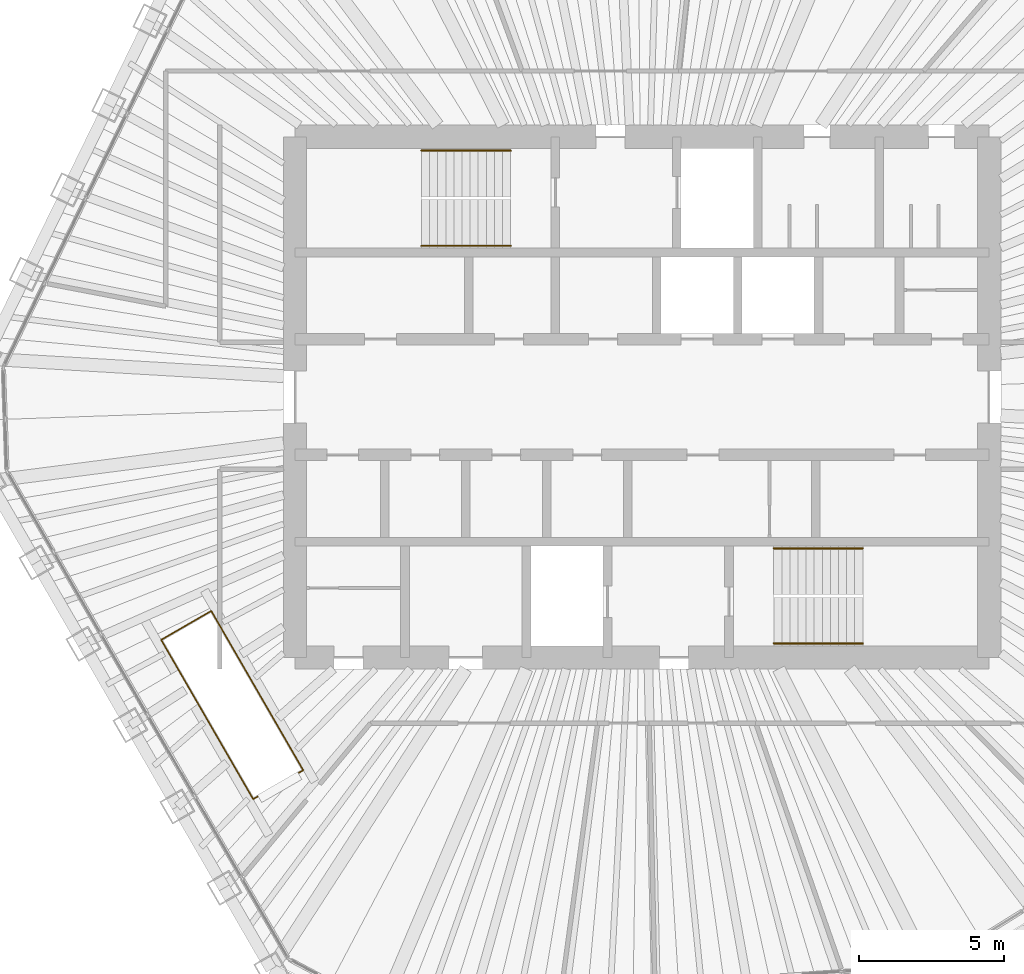
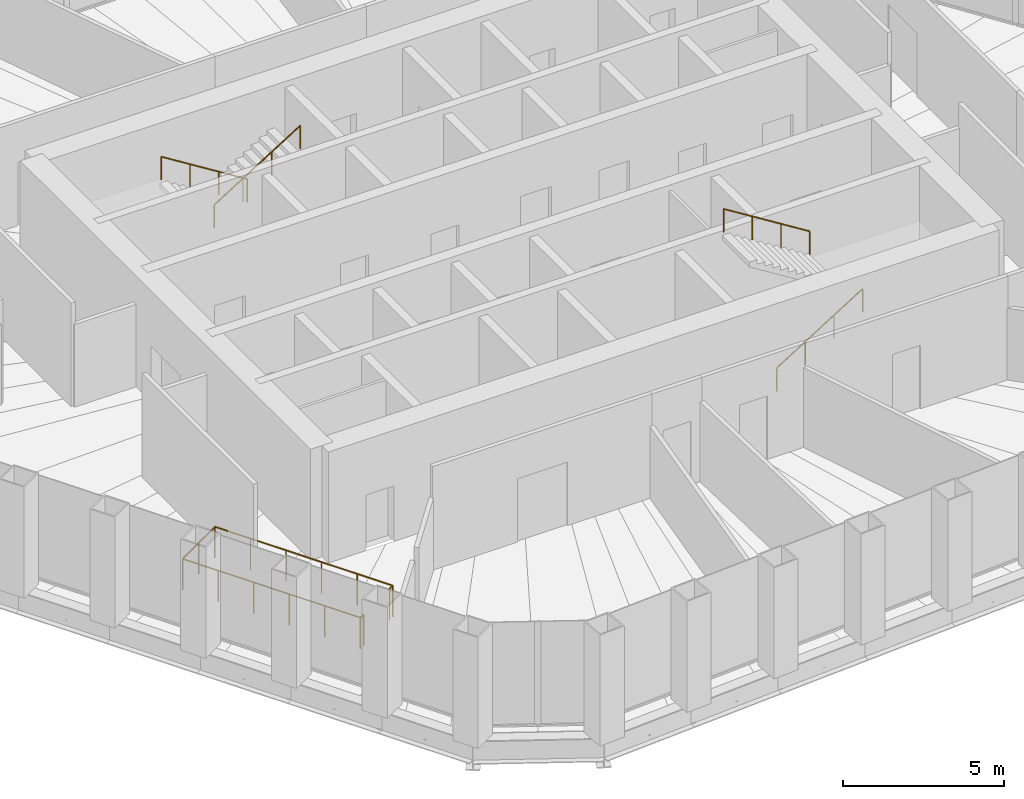
# One storey, part 14 of 14: 5 railings.
"""IFC4 building model written with IfcOpenShell, lengths in metres."""

from ifc_helpers import new_model, si_unit, direction, frame, origin, origin_2d, place, context, subcontext, project, spatial, circle, extrude, material, type_object, element, save


model = new_model("IFC4")

# Units and contexts
model_context = context("Model", 3, precision=1e-05, world=origin(), true_north=direction((0.0, 1.0)))
body_context = subcontext(model_context, "Body", "Model", "MODEL_VIEW")
ifc_project = project(units=[si_unit("LENGTHUNIT", "METRE"), si_unit("AREAUNIT", "SQUARE_METRE"), si_unit("VOLUMEUNIT", "CUBIC_METRE"), si_unit("PLANEANGLEUNIT", "RADIAN"), si_unit("MASSUNIT", "GRAM", prefix="KILO")], contexts=[model_context])

# Site, building, storey
site_placement = place(None, origin())
site = spatial("IfcSite", under=ifc_project, at=site_placement, CompositionType="ELEMENT")
building_placement = place(site_placement, origin())
building = spatial("IfcBuilding", under=site, at=building_placement, Name="Qingtian Harvest Tower", CompositionType="ELEMENT")
storey_placement = place(building_placement, frame((0.0, 0.0, 333.39990234375)))
storey = spatial("IfcBuildingStorey", under=building, at=storey_placement, Name="L74", CompositionType="ELEMENT", Elevation=333.39990234375)

# Railings
ifc_material_1 = material(Name="Laminated glass balustrade with steel handrail", Category="steel")
railing_type_1 = type_object("IfcRailingType", Name="Glass balustrade BG1 1200", PredefinedType="BALUSTRADE", material=ifc_material_1)
railing_1_placement = place(storey_placement, frame((-11.89208984375, -13.00341796875, 0.0)))
element("IfcRailing", 1, at=railing_1_placement, inside=storey, type_object=railing_type_1, Name="Feature stair opening guard FS6", PredefinedType="BALUSTRADE", context=body_context, shape_type="SweptSolid", body=[
    extrude(circle(Radius=0.02392578125, at=origin_2d()), frame((0.0, 0.0, 1.17578125), z_axis=(0.866205924883, 0.499687197852, 0.0), x_axis=(-0.499687197852, 0.866205924883, 0.0)), (0.0, 0.0, 1.0), 0.199951171875),
    extrude(circle(Radius=0.02392578125, at=origin_2d()), frame((0.173095703125, 0.099853515625, 1.17578125), z_axis=(-0.499982742631, 0.866035367102, 0.0), x_axis=(-0.866035367102, -0.499982742631, 0.0)), (0.0, 0.0, 1.0), 6.360107421875),
    extrude(circle(Radius=0.02392578125, at=origin_2d()), frame((-3.0068359375, 5.60791015625, 1.17578125), z_axis=(-0.866041268327, -0.499972520799, 0.0), x_axis=(0.499972520799, -0.866041268327, 0.0)), (0.0, 0.0, 1.0), 2.0),
    extrude(circle(Radius=0.02392578125, at=origin_2d()), frame((-4.739013671875, 4.60791015625, 1.17578125), z_axis=(0.500011532258, -0.86601874553, 0.0), x_axis=(0.86601874553, 0.500011532258, 0.0)), (0.0, 0.0, 1.0), 6.360107421875),
    extrude(circle(Radius=0.02392578125, at=origin_2d()), frame((-1.558837890625, -0.900146484375, 1.17578125), z_axis=(0.865676959893, 0.500603037456, 0.0), x_axis=(-0.500603037456, 0.865676959893, 0.0)), (0.0, 0.0, 1.0), 0.199951171875),
    extrude(circle(Radius=0.02099609375, at=origin_2d()), origin(), (0.0, 0.0, 1.0), 1.15185546875),
    extrude(circle(Radius=0.02099609375, at=origin_2d()), frame((0.173095703125, 0.099853515625, 0.0)), (0.0, 0.0, 1.0), 1.15185546875),
    extrude(circle(Radius=0.02099609375, at=origin_2d()), frame((-0.462890625, 1.201416015625, 0.0)), (0.0, 0.0, 1.0), 1.15185546875),
    extrude(circle(Radius=0.02099609375, at=origin_2d()), frame((-1.098876953125, 2.302978515625, 0.0)), (0.0, 0.0, 1.0), 1.15185546875),
    extrude(circle(Radius=0.02099609375, at=origin_2d()), frame((-1.73486328125, 3.40478515625, 0.0)), (0.0, 0.0, 1.0), 1.15185546875),
    extrude(circle(Radius=0.02099609375, at=origin_2d()), frame((-2.370849609375, 4.50634765625, 0.0)), (0.0, 0.0, 1.0), 1.15185546875),
    extrude(circle(Radius=0.02099609375, at=origin_2d()), frame((-3.0068359375, 5.60791015625, 0.0)), (0.0, 0.0, 1.0), 1.15185546875),
    extrude(circle(Radius=0.02099609375, at=origin_2d()), frame((-3.873046875, 5.10791015625, 0.0)), (0.0, 0.0, 1.0), 1.15185546875),
    extrude(circle(Radius=0.02099609375, at=origin_2d()), frame((-4.739013671875, 4.60791015625, 0.0)), (0.0, 0.0, 1.0), 1.15185546875),
    extrude(circle(Radius=0.02099609375, at=origin_2d()), frame((-4.10302734375, 3.50634765625, 0.0)), (0.0, 0.0, 1.0), 1.15185546875),
    extrude(circle(Radius=0.02099609375, at=origin_2d()), frame((-3.467041015625, 2.40478515625, 0.0)), (0.0, 0.0, 1.0), 1.15185546875),
    extrude(circle(Radius=0.02099609375, at=origin_2d()), frame((-2.830810546875, 1.302978515625, 0.0)), (0.0, 0.0, 1.0), 1.15185546875),
    extrude(circle(Radius=0.02099609375, at=origin_2d()), frame((-2.19482421875, 0.201416015625, 0.0)), (0.0, 0.0, 1.0), 1.15185546875),
    extrude(circle(Radius=0.02099609375, at=origin_2d()), frame((-1.558837890625, -0.900146484375, 0.0)), (0.0, 0.0, 1.0), 1.15185546875),
    extrude(circle(Radius=0.02099609375, at=origin_2d()), frame((-1.3857421875, -0.800048828125, 0.0)), (0.0, 0.0, 1.0), 1.15185546875),
])
ifc_material_2 = material(Name="Stainless steel handrail", Category="steel")
railing_type_2 = type_object("IfcRailingType", Name="Handrail HR1", PredefinedType="HANDRAIL", material=ifc_material_2)
railing_2_placement = place(storey_placement, frame((-4.550048828125, 8.52001953125, 0.175048828125)))
element("IfcRailing", 2, at=railing_2_placement, inside=storey, type_object=railing_type_2, Name="Handrail HR1 S1 flight 1", PredefinedType="HANDRAIL", context=body_context, shape_type="SweptSolid", body=[
    extrude(circle(Radius=0.02392578125, at=origin_2d()), frame((0.0, 0.0, 0.8759765625), z_axis=(-0.847979421464, 0.0, 0.530029150871), x_axis=(0.0, -1.0, 0.0)), (0.0, 0.0, 1.0), 3.632080078125),
    extrude(circle(Radius=0.02099609375, at=origin_2d()), origin(), (0.0, 0.0, 1.0), 0.851806640625),
    extrude(circle(Radius=0.02099609375, at=origin_2d()), frame((-1.026611328125, 0.0, 0.6416015625)), (0.0, 0.0, 1.0), 0.851806640625),
    extrude(circle(Radius=0.02099609375, at=origin_2d()), frame((-2.05322265625, 0.0, 1.283447265625)), (0.0, 0.0, 1.0), 0.851806640625),
    extrude(circle(Radius=0.02099609375, at=origin_2d()), frame((-3.079833984375, 0.0, 1.925048828125)), (0.0, 0.0, 1.0), 0.851806640625),
])
for number, where, name in (
    (3, (-7.6298828125, 5.22998046875, 2.275146484375), "Handrail HR1 S1 flight 2"),
    (4, (4.550048828125, -8.52001953125, 0.175048828125), "Handrail HR1 S2 flight 1"),
):
    element("IfcRailing", number, at=place(storey_placement, frame(where)), inside=storey, type_object=railing_type_2, Name=name, PredefinedType="HANDRAIL", context=body_context, shape_type="SweptSolid", body=[
        extrude(circle(Radius=0.02392578125, at=origin_2d()), frame((0.0, 0.0, 0.8759765625), z_axis=(0.847979421464, 0.0, 0.530029150871), x_axis=(0.0, 1.0, 0.0)), (0.0, 0.0, 1.0), 3.632080078125),
        extrude(circle(Radius=0.02099609375, at=origin_2d()), origin(), (0.0, 0.0, 1.0), 0.851806640625),
        extrude(circle(Radius=0.02099609375, at=origin_2d()), frame((1.026611328125, 0.0, 0.6416015625)), (0.0, 0.0, 1.0), 0.851806640625),
        extrude(circle(Radius=0.02099609375, at=origin_2d()), frame((2.05322265625, 0.0, 1.283447265625)), (0.0, 0.0, 1.0), 0.851806640625),
        extrude(circle(Radius=0.02099609375, at=origin_2d()), frame((3.079833984375, 0.0, 1.925048828125)), (0.0, 0.0, 1.0), 0.851806640625),
    ])
railing_3_placement = place(storey_placement, frame((7.6298828125, -5.22998046875, 2.275146484375)))
element("IfcRailing", 5, at=railing_3_placement, inside=storey, type_object=railing_type_2, Name="Handrail HR1 S2 flight 2", PredefinedType="HANDRAIL", context=body_context, shape_type="SweptSolid", body=[
    extrude(circle(Radius=0.02392578125, at=origin_2d()), frame((0.0, 0.0, 0.8759765625), z_axis=(-0.847979421464, 0.0, 0.530029150871), x_axis=(0.0, -1.0, 0.0)), (0.0, 0.0, 1.0), 3.632080078125),
    extrude(circle(Radius=0.02099609375, at=origin_2d()), origin(), (0.0, 0.0, 1.0), 0.851806640625),
    extrude(circle(Radius=0.02099609375, at=origin_2d()), frame((-1.026611328125, 0.0, 0.6416015625)), (0.0, 0.0, 1.0), 0.851806640625),
    extrude(circle(Radius=0.02099609375, at=origin_2d()), frame((-2.05322265625, 0.0, 1.283447265625)), (0.0, 0.0, 1.0), 0.851806640625),
    extrude(circle(Radius=0.02099609375, at=origin_2d()), frame((-3.079833984375, 0.0, 1.925048828125)), (0.0, 0.0, 1.0), 0.851806640625),
])

save(model, "model.ifc")
